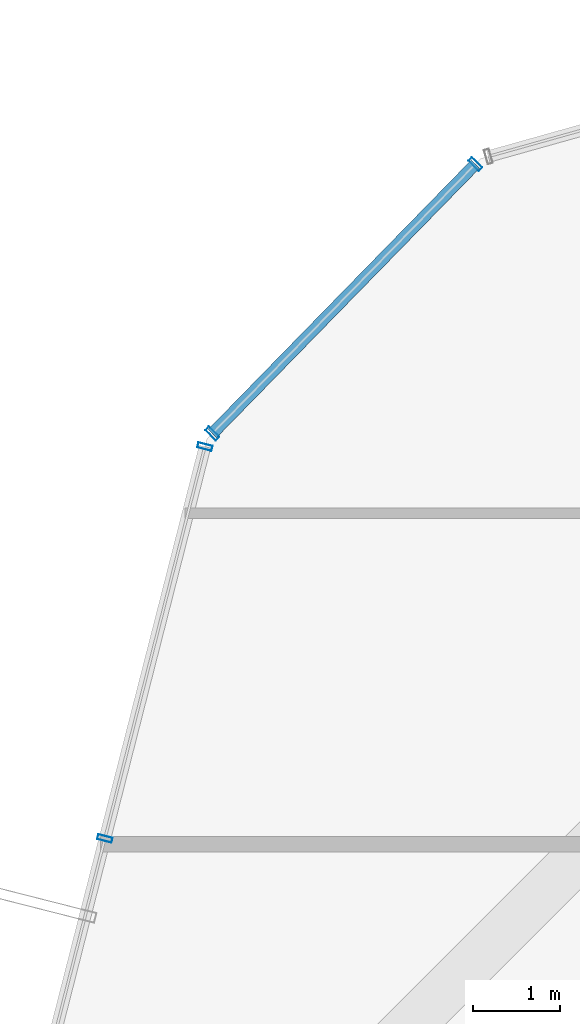
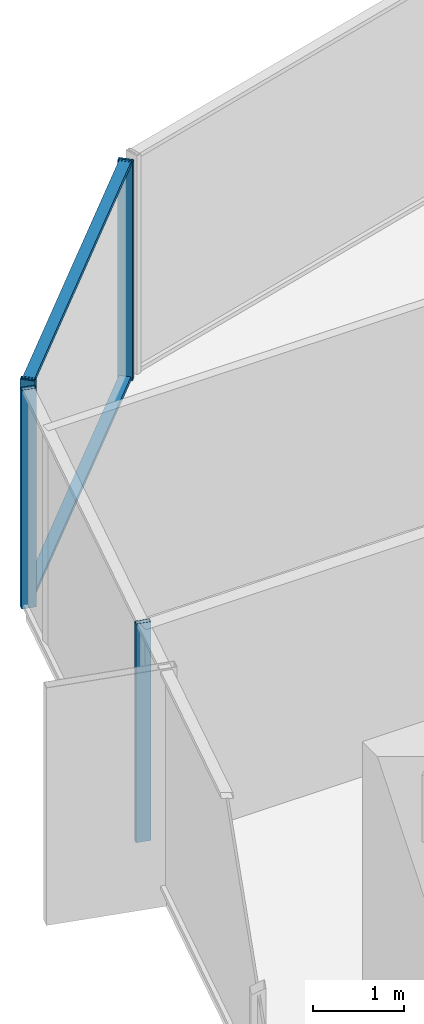
# One storey, part 22 of 39: 6 members, 2 elements without a shape of their own.
"""IFC4 building model written with IfcOpenShell, lengths in metres."""

from ifc_helpers import new_model, si_unit, direction, frame, origin, origin_2d, place, context, subcontext, project, spatial, hollow_rectangle, extrude, source, transform, mapped, material, layer, layer_set, material_profile, profile_set, type_object, element, aggregate, save


model = new_model("IFC4")

# Units and contexts
model_context = context("Model", 3, precision=1e-05, world=origin(), true_north=direction((0.0, 1.0)))
body_context = subcontext(model_context, "Body", "Model", "MODEL_VIEW")
ifc_project = project(units=[si_unit("LENGTHUNIT", "METRE"), si_unit("AREAUNIT", "SQUARE_METRE"), si_unit("VOLUMEUNIT", "CUBIC_METRE"), si_unit("PLANEANGLEUNIT", "RADIAN"), si_unit("MASSUNIT", "GRAM", prefix="KILO")], contexts=[model_context])

# Site, building, storey
site_placement = place(None, origin())
site = spatial("IfcSite", under=ifc_project, at=site_placement, CompositionType="ELEMENT")
building_placement = place(site_placement, origin())
building = spatial("IfcBuilding", under=site, at=building_placement, Name="Veraguas Prism Commons", CompositionType="ELEMENT")
storey_placement = place(building_placement, frame((0.0, 0.0, 77.10009765625)))
storey = spatial("IfcBuildingStorey", under=building, at=storey_placement, Name="L21", CompositionType="ELEMENT", Elevation=77.10009765625)

# Curtain wall, members
ifc_material = material(Name="Anodised aluminium EN AW-6063 T6", Category="aluminium")
ifc_layer = layer(ifc_material, 0.169921875, Name="Unitised Flush Curtain Wall Zone 1", Category="aluminium")
ifc_layer_set = layer_set([ifc_layer], Name="Anodised aluminium EN AW-6063 T6")
curtain_wall_type = type_object("IfcCurtainWallType", Name="Unitised Flush Curtain Wall Zone 1", PredefinedType="NOTDEFINED", material=ifc_layer_set)
curtain_wall_1_placement = place(storey_placement, origin())
curtain_wall_1 = element("IfcCurtainWall", 1, at=curtain_wall_1_placement, inside=storey, type_object=curtain_wall_type, Name="Chamfer Curtain Wall L21-C3", PredefinedType="NOTDEFINED")
ifc_material_profile_1 = material_profile(ifc_material, hollow_rectangle(XDim=0.054931640625, YDim=0.135009765625, WallThickness=0.0029296875, at=origin_2d()), Name="AL55X135X3")
ifc_profile_set_1 = profile_set([ifc_material_profile_1], Name="Anodised aluminium EN AW-6063 T6")
member_type_1 = type_object("IfcMemberType", Name="Curtain Wall Transom Standard AL 55x135x3", PredefinedType="USERDEFINED", material=ifc_profile_set_1)
shared_shape_1 = source(origin(), body_context, "Body", "SweptSolid", [
    extrude(hollow_rectangle(XDim=0.054931640625, YDim=0.135009765625, WallThickness=0.0029296875, at=origin_2d()), origin(), (0.0, 0.0, 1.0), 4.320068359375),
])
member_1_placement = place(storey_placement, frame((9.267822265625, 41.40576171875, 0.02734375), z_axis=(-0.698664863419, -0.71544909576, 0.0), x_axis=(0.0, 0.0, 1.0)))
member_1 = element("IfcMember", 2, at=member_1_placement, type_object=member_type_1, Name="CW-Z1 Transom 1", ObjectType="TRANSOM", PredefinedType="USERDEFINED", context=body_context, shape_type="MappedRepresentation", body=[
    mapped(shared_shape_1, transform((0.0, 0.0, 0.0), scale=1.0)),
])
member_2_placement = place(storey_placement, frame((9.267822265625, 41.40576171875, 2.90234375), z_axis=(-0.698664863419, -0.71544909576, 0.0), x_axis=(0.0, 0.0, 1.0)))
member_2 = element("IfcMember", 3, at=member_2_placement, type_object=member_type_1, Name="CW-Z1 Transom 2", ObjectType="TRANSOM", PredefinedType="USERDEFINED", context=body_context, shape_type="MappedRepresentation", body=[
    mapped(shared_shape_1, transform((0.0, 0.0, 0.0), scale=1.0)),
])

curtain_wall_2_placement = place(storey_placement, origin())
curtain_wall_2 = element("IfcCurtainWall", 4, at=curtain_wall_2_placement, inside=storey, type_object=curtain_wall_type, Name="Tower Facade Curtain Wall L21-F3", PredefinedType="NOTDEFINED")
ifc_material_profile_2 = material_profile(ifc_material, hollow_rectangle(XDim=0.06005859375, YDim=0.169921875, WallThickness=0.00390625, at=origin_2d()), Name="AL60X170X4")
ifc_profile_set_2 = profile_set([ifc_material_profile_2], Name="Anodised aluminium EN AW-6063 T6")
member_type_2 = type_object("IfcMemberType", Name="Curtain Wall Mullion Lower AL 60x170x4", PredefinedType="MULLION", material=ifc_profile_set_2)
shared_shape_2 = source(origin(), body_context, "Body", "SweptSolid", [
    extrude(hollow_rectangle(XDim=0.06005859375, YDim=0.169921875, WallThickness=0.00390625, at=origin_2d()), origin(), (0.0, 0.0, 1.0), 2.929931640625),
])
member_3_placement = place(storey_placement, frame((6.164306640625, 38.163330078125, 0.0), z_axis=(0.0, 0.0, 1.0), x_axis=(-0.247340630168, -0.968928590077, 0.0)))
member_3 = element("IfcMember", 5, at=member_3_placement, type_object=member_type_2, Name="CW-Z1 Mullion 1", PredefinedType="MULLION", context=body_context, shape_type="MappedRepresentation", body=[
    mapped(shared_shape_2, transform((0.0, 0.0, 0.0), scale=1.0)),
])
member_4_placement = place(storey_placement, frame((5.016357421875, 33.666748046875, 0.0), z_axis=(0.0, 0.0, 1.0), x_axis=(-0.247340630168, -0.968928590077, 0.0)))
member_4 = element("IfcMember", 6, at=member_4_placement, type_object=member_type_2, Name="CW-Z1 Mullion 2", PredefinedType="MULLION", context=body_context, shape_type="MappedRepresentation", body=[
    mapped(shared_shape_2, transform((0.0, 0.0, 0.0), scale=1.0)),
])
aggregate(curtain_wall_2, [member_3, member_4])

# Member
member_5_placement = place(storey_placement, frame((9.267822265625, 41.40576171875, 0.0), z_axis=(0.0, 0.0, 1.0), x_axis=(-0.698666315462, -0.715447677779, 0.0)))
member_5 = element("IfcMember", 7, at=member_5_placement, type_object=member_type_2, Name="CW-Z1 Mullion 1", PredefinedType="MULLION", context=body_context, shape_type="MappedRepresentation", body=[
    mapped(shared_shape_2, transform((0.0, 0.0, 0.0), scale=1.0)),
])

member_6_placement = place(storey_placement, frame((6.24951171875, 38.31494140625, 0.0), z_axis=(0.0, 0.0, 1.0), x_axis=(-0.698666315462, -0.715447677779, 0.0)))
member_6 = element("IfcMember", 8, at=member_6_placement, type_object=member_type_2, Name="CW-Z1 Mullion 2", PredefinedType="MULLION", context=body_context, shape_type="MappedRepresentation", body=[
    mapped(shared_shape_2, transform((0.0, 0.0, 0.0), scale=1.0)),
])

aggregate(curtain_wall_1, [member_5, member_6, member_1, member_2])

save(model, "model.ifc")
